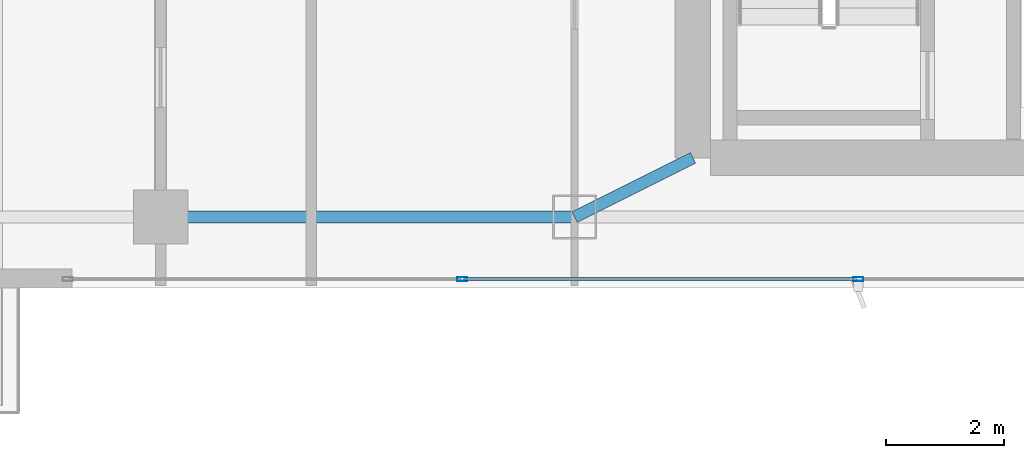
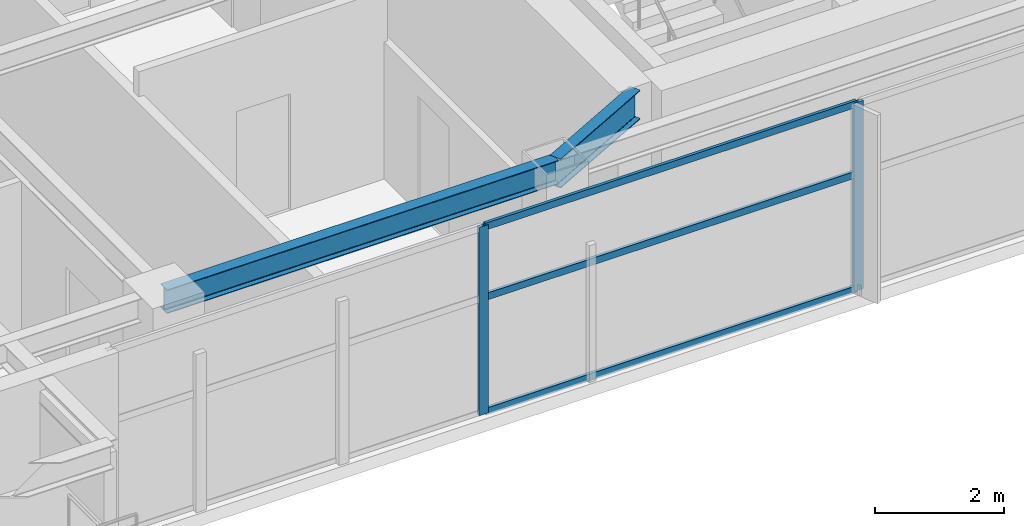
# One storey, part 7 of 27: 5 members, 2 beams, 1 element without a shape of its own.
"""IFC4 building model written with IfcOpenShell, lengths in metres."""

from ifc_helpers import new_model, si_unit, direction, frame, origin, origin_2d, place, context, subcontext, project, spatial, hollow_rectangle, i_section, extrude, material, layer, layer_set, material_profile, profile_set, type_object, element, aggregate, save


model = new_model("IFC4")

# Units and contexts
model_context = context("Model", 3, precision=1e-05, world=origin(), true_north=direction((0.0, 1.0)))
body_context = subcontext(model_context, "Body", "Model", "MODEL_VIEW")
ifc_project = project(units=[si_unit("LENGTHUNIT", "METRE"), si_unit("AREAUNIT", "SQUARE_METRE"), si_unit("VOLUMEUNIT", "CUBIC_METRE"), si_unit("PLANEANGLEUNIT", "RADIAN"), si_unit("MASSUNIT", "GRAM", prefix="KILO")], contexts=[model_context])

# Site, building, storey
site_placement = place(None, origin())
site = spatial("IfcSite", under=ifc_project, at=site_placement, CompositionType="ELEMENT")
building_placement = place(site_placement, origin())
building = spatial("IfcBuilding", under=site, at=building_placement, Name="Calvorn Quay Hotel", CompositionType="ELEMENT")
storey_placement = place(building_placement, frame((0.0, 0.0, 298.699951171875)))
storey = spatial("IfcBuildingStorey", under=building, at=storey_placement, Name="L74", CompositionType="ELEMENT", Elevation=298.699951171875)

# Beams
ifc_material_1 = material(Name="Steel Q355B", Category="steel")
ifc_material_profile_1 = material_profile(ifc_material_1, i_section(OverallWidth=0.199951171875, OverallDepth=0.550048828125, WebThickness=0.010009765625, FlangeThickness=0.01611328125, FilletRadius=0.01806640625, at=origin_2d()), Name="HN550x200x10x16")
ifc_profile_set_1 = profile_set([ifc_material_profile_1], Name="Steel Q355B")
beam_type_1 = type_object("IfcBeamType", Name="BM-GIRD-UPP", PredefinedType="BEAM", material=ifc_profile_set_1)
beam_1_placement = place(storey_placement, frame((19.60009765625, 3.60009765625, 3.26513671875), z_axis=(0.894427191, 0.4472135955, 0.0), x_axis=(-0.4472135955, 0.894427191, 0.0)))
element("IfcBeam", 1, at=beam_1_placement, inside=storey, type_object=beam_type_1, Name="Beam BG-L74-S2", PredefinedType="BEAM", context=body_context, shape_type="SweptSolid", body=[
    extrude(i_section(OverallWidth=0.199951171875, OverallDepth=0.550048828125, WebThickness=0.010009765625, FlangeThickness=0.01611328125, FilletRadius=0.01806640625, at=origin_2d()), origin(), (0.0, 0.0, 1.0), 2.236083984375),
])
ifc_material_2 = material(Name="Steel Q355B", Category="steel")
ifc_material_profile_2 = material_profile(ifc_material_2, i_section(OverallWidth=0.199951171875, OverallDepth=0.449951171875, WebThickness=0.009033203125, FlangeThickness=0.013916015625, FilletRadius=0.01611328125, at=origin_2d()), Name="HN450x200x9x14")
ifc_profile_set_2 = profile_set([ifc_material_profile_2], Name="Steel Q355B")
beam_type_2 = type_object("IfcBeamType", Name="BM-SPANDREL-Z3", PredefinedType="SPANDREL", material=ifc_profile_set_2)
beam_2_placement = place(storey_placement, frame((12.60009765625, 3.60009765625, 3.31494140625), z_axis=(1.0, 0.0, 0.0), x_axis=(0.0, 1.0, 0.0)))
element("IfcBeam", 2, at=beam_2_placement, inside=storey, type_object=beam_type_2, Name="Beam BSP-L74-S2", PredefinedType="SPANDREL", context=body_context, shape_type="SweptSolid", body=[
    extrude(i_section(OverallWidth=0.199951171875, OverallDepth=0.449951171875, WebThickness=0.009033203125, FlangeThickness=0.013916015625, FilletRadius=0.01611328125, at=origin_2d()), origin(), (0.0, 0.0, 1.0), 7.0),
])

# Curtain wall, members
ifc_material_3 = material(Name="Champagne Bronze Anodised Aluminium and Low-E Glass", Category="aluminium")
ifc_layer = layer(ifc_material_3, 0.219970703125)
ifc_layer_set = layer_set([ifc_layer], Name="CW-SYS-Z4")
curtain_wall_type = type_object("IfcCurtainWallType", Name="CW-SYS-Z4", PredefinedType="NOTDEFINED", material=ifc_layer_set)
curtain_wall_placement = place(storey_placement, origin())
curtain_wall = element("IfcCurtainWall", 3, at=curtain_wall_placement, inside=storey, type_object=curtain_wall_type, Name="Tower South Waterfront Curtain Wall (L74)", PredefinedType="NOTDEFINED")
ifc_material_4 = material(Name="Champagne Bronze Anodised Aluminium 6063-T6", Category="aluminium")
ifc_material_profile_3 = material_profile(ifc_material_4, hollow_rectangle(XDim=0.06494140625, YDim=0.169921875, WallThickness=0.00341796875, at=origin_2d()), Name="ALU-M170x65x3.5")
ifc_profile_set_3 = profile_set([ifc_material_profile_3], Name="Champagne Bronze Anodised Aluminium 6063-T6")
member_type_1 = type_object("IfcMemberType", Name="CW-SYS-Z4-MUL", PredefinedType="MULLION", material=ifc_profile_set_3)
member_1_placement = place(storey_placement, frame((17.699951171875, 2.550048828125, 0.0), z_axis=(0.0, 0.0, 1.0), x_axis=(0.0, 1.0, 0.0)))
member_1 = element("IfcMember", 4, at=member_1_placement, type_object=member_type_1, Name="CW-L74-S mullion 2", PredefinedType="MULLION", context=body_context, shape_type="SweptSolid", body=[
    extrude(hollow_rectangle(XDim=0.06494140625, YDim=0.169921875, WallThickness=0.00341796875, at=origin_2d()), origin(), (0.0, 0.0, 1.0), 3.56005859375),
])
member_2_placement = place(storey_placement, frame((24.39990234375, 2.550048828125, 0.0), z_axis=(0.0, 0.0, 1.0), x_axis=(0.0, 1.0, 0.0)))
member_2 = element("IfcMember", 5, at=member_2_placement, type_object=member_type_1, Name="CW-L74-S mullion 3", PredefinedType="MULLION", context=body_context, shape_type="SweptSolid", body=[
    extrude(hollow_rectangle(XDim=0.06494140625, YDim=0.169921875, WallThickness=0.00341796875, at=origin_2d()), origin(), (0.0, 0.0, 1.0), 3.56005859375),
])
ifc_material_5 = material(Name="Champagne Bronze Anodised Aluminium 6063-T6", Category="aluminium")
ifc_material_profile_4 = material_profile(ifc_material_5, hollow_rectangle(XDim=0.054931640625, YDim=0.1298828125, WallThickness=0.003173828125, at=origin_2d()), Name="ALU-T130x55x3.2")
ifc_profile_set_4 = profile_set([ifc_material_profile_4], Name="Champagne Bronze Anodised Aluminium 6063-T6")
member_type_2 = type_object("IfcMemberType", Name="CW-SYS-Z4-TRN", PredefinedType="USERDEFINED", material=ifc_profile_set_4)
member_3_placement = place(storey_placement, frame((17.72998046875, 2.550048828125, 0.030029296875), z_axis=(1.0, 0.0, 0.0), x_axis=(0.0, 1.0, 0.0)))
member_3 = element("IfcMember", 6, at=member_3_placement, type_object=member_type_2, Name="CW-L74-S transom 2.1", ObjectType="TRANSOM", PredefinedType="USERDEFINED", context=body_context, shape_type="SweptSolid", body=[
    extrude(hollow_rectangle(XDim=0.054931640625, YDim=0.1298828125, WallThickness=0.003173828125, at=origin_2d()), origin(), (0.0, 0.0, 1.0), 6.64013671875),
])
member_4_placement = place(storey_placement, frame((17.72998046875, 2.550048828125, 2.199951171875), z_axis=(1.0, 0.0, 0.0), x_axis=(0.0, 1.0, 0.0)))
member_4 = element("IfcMember", 7, at=member_4_placement, type_object=member_type_2, Name="CW-L74-S transom 2.2", ObjectType="TRANSOM", PredefinedType="USERDEFINED", context=body_context, shape_type="SweptSolid", body=[
    extrude(hollow_rectangle(XDim=0.054931640625, YDim=0.1298828125, WallThickness=0.003173828125, at=origin_2d()), origin(), (0.0, 0.0, 1.0), 6.64013671875),
])
member_5_placement = place(storey_placement, frame((17.72998046875, 2.550048828125, 3.530029296875), z_axis=(1.0, 0.0, 0.0), x_axis=(0.0, 1.0, 0.0)))
member_5 = element("IfcMember", 8, at=member_5_placement, type_object=member_type_2, Name="CW-L74-S transom 2.3", ObjectType="TRANSOM", PredefinedType="USERDEFINED", context=body_context, shape_type="SweptSolid", body=[
    extrude(hollow_rectangle(XDim=0.054931640625, YDim=0.1298828125, WallThickness=0.003173828125, at=origin_2d()), origin(), (0.0, 0.0, 1.0), 6.64013671875),
])
aggregate(curtain_wall, [member_1, member_2, member_3, member_4, member_5])

save(model, "model.ifc")
